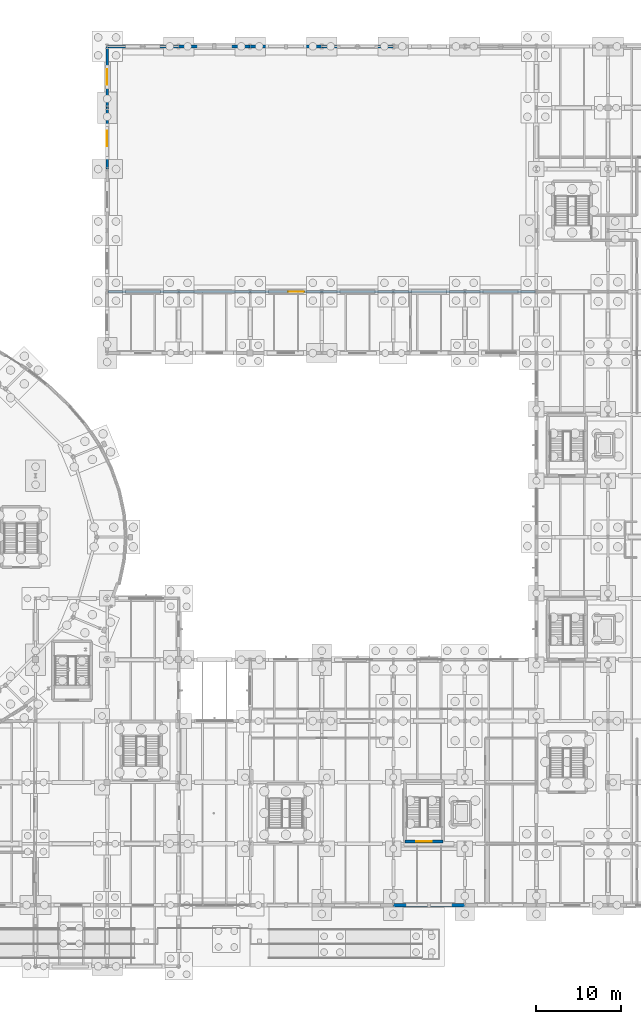
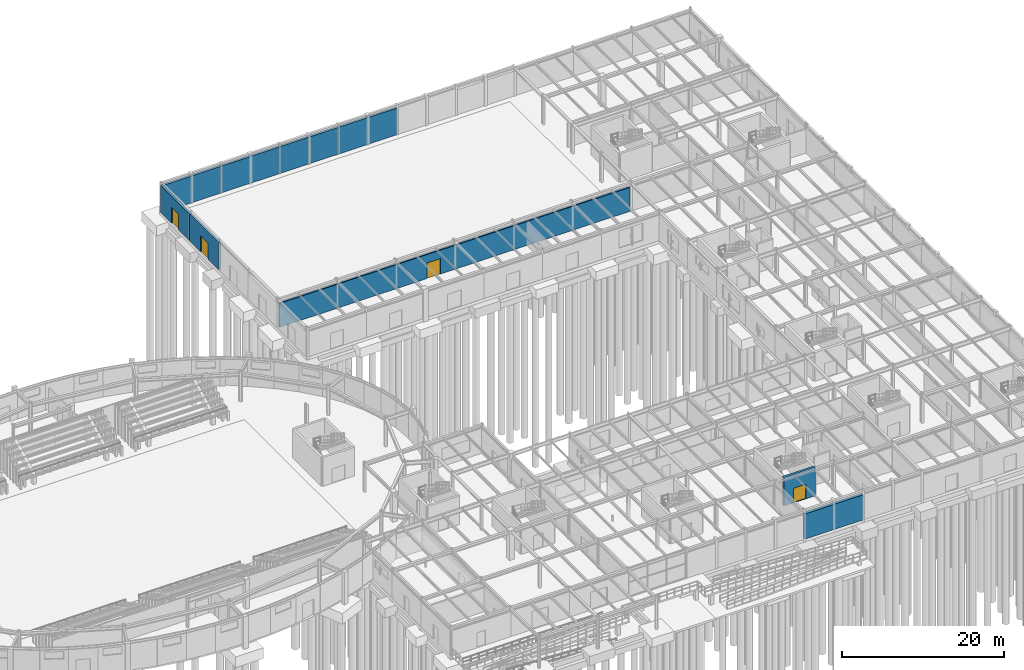
# One storey, part 62 of 93: 9 walls, 4 doors, 4 openings.
"""IFC4 building model written with IfcOpenShell, lengths in metres."""

import ifcopenshell
import ifcopenshell.guid

model = None  # the IFC model being written
_history = None  # IfcOwnerHistory: only IFC2X3 demands one
_inside = {}  # id of a spatial element -> (the spatial element, [elements in it])
_under = {}  # id of a project, library or spatial element -> (it, [spatial elements below it])
_declared = {}  # id of a project -> (the project, [libraries it declares])
_typed = {}  # id of a type object -> (the type object, [elements of that type])
_made_of = {}  # id of a material, layer set ... -> (it, [elements and type objects made of it])


def new_model(schema):
    """Start an empty IFC model of exactly this schema.

    Asked for "IFC4X3", IfcOpenShell would pick the latest addendum, in which some entities
    have other attributes; the version numbers below select the first issue.
    IFC2X3 requires an IfcOwnerHistory on every rooted entity: one is made here for all.
    """
    global model, _history
    if schema == "IFC4X3":
        model = ifcopenshell.file(schema_version=(4, 3, 0, 0))
    else:
        model = ifcopenshell.file(schema=schema)
    _inside.clear()
    _under.clear()
    _declared.clear()
    _typed.clear()
    _made_of.clear()
    _history = None
    if model.schema == "IFC2X3":
        org = make("IfcOrganization", Name="unknown")
        user = make(
            "IfcPersonAndOrganization",
            ThePerson=make("IfcPerson", FamilyName="unknown"),
            TheOrganization=org,
        )
        app = make(
            "IfcApplication",
            ApplicationDeveloper=org,
            Version="unknown",
            ApplicationFullName="unknown",
            ApplicationIdentifier="unknown",
        )
        _history = make(
            "IfcOwnerHistory",
            OwningUser=user,
            OwningApplication=app,
            ChangeAction="ADDED",
            CreationDate=0,
        )
    return model


def make(cls, **values):
    """One entity of the class cls with the attributes given. An attribute that is None is left unset."""
    return model.create_entity(
        cls, **{name: value for name, value in values.items() if value is not None}
    )


def rooted(cls, **values):
    """An entity with a GlobalId (a new one), such as an element, a storey or a relation."""
    return make(cls, GlobalId=ifcopenshell.guid.new(), OwnerHistory=_history, **values)


def si_unit(unit_type, name, prefix=None):
    """IfcSIUnit, for example si_unit("LENGTHUNIT", "METRE", prefix="MILLI")."""
    return make("IfcSIUnit", UnitType=unit_type, Prefix=prefix, Name=name)


def derived_unit(unit_type, elements):
    """IfcDerivedUnit: a product of units, each with its exponent."""
    return make(
        "IfcDerivedUnit",
        Elements=[
            make("IfcDerivedUnitElement", Unit=unit, Exponent=power)
            for unit, power in elements
        ],
        UnitType=unit_type,
    )


def assignment(units):
    """IfcUnitAssignment: the units of a project."""
    return None if units is None else make("IfcUnitAssignment", Units=units)


def point(xyz):
    """IfcCartesianPoint."""
    return None if xyz is None else make("IfcCartesianPoint", Coordinates=xyz)


def direction(xyz):
    """IfcDirection."""
    return None if xyz is None else make("IfcDirection", DirectionRatios=xyz)


def frame(location, z_axis=None, x_axis=None):
    """IfcAxis2Placement3D, a coordinate frame: its origin and axes. An axis left out is left unset."""
    return make(
        "IfcAxis2Placement3D",
        Location=point(location),
        Axis=direction(z_axis),
        RefDirection=direction(x_axis),
    )


def frame_2d(location, x_axis=None):
    """IfcAxis2Placement2D, a coordinate frame in the plane: its origin and x axis."""
    return make(
        "IfcAxis2Placement2D", Location=point(location), RefDirection=direction(x_axis)
    )


def origin():
    """The frame at (0, 0, 0) with its axes left unset."""
    return frame((0.0, 0.0, 0.0))


def place(relative_to, where):
    """IfcLocalPlacement: puts the frame where relative to a parent placement (None: the world)."""
    return make(
        "IfcLocalPlacement", PlacementRelTo=relative_to, RelativePlacement=where
    )


def context(
    kind, dimensions, precision=None, world=None, true_north=None, identifier=None
):
    """IfcGeometricRepresentationContext, for example the 3D "Model" context."""
    return make(
        "IfcGeometricRepresentationContext",
        ContextIdentifier=identifier,
        ContextType=kind,
        CoordinateSpaceDimension=dimensions,
        Precision=precision,
        WorldCoordinateSystem=world,
        TrueNorth=true_north,
    )


def subcontext(parent, identifier, kind, view, scale=None):
    """IfcGeometricRepresentationSubContext, for example "Body" below "Model"."""
    return make(
        "IfcGeometricRepresentationSubContext",
        ContextIdentifier=identifier,
        ContextType=kind,
        ParentContext=parent,
        TargetScale=scale,
        TargetView=view,
    )


def project(units=None, contexts=None):
    """IfcProject with its units and contexts."""
    return rooted(
        "IfcProject",
        Name="project",
        RepresentationContexts=contexts,
        UnitsInContext=assignment(units),
    )


def spatial(cls, under=None, at=None, **own):
    """A site, building, storey or space (cls), placed at a placement, below another one or the project."""
    s = rooted(cls, ObjectPlacement=at, **own)
    if under is not None:
        _under.setdefault(under.id(), (under, []))[1].append(s)
    return s


def profile(cls, at=None, kind="AREA", **sizes):
    """A parametric profile (cls). Its sizes go by their IFC names, for example OverallWidth=200.0."""
    return make(cls, ProfileType=kind, Position=at, **sizes)


def rectangle(**sizes):
    """IfcRectangleProfileDef."""
    return profile("IfcRectangleProfileDef", **sizes)


def extrude(swept, where, along, depth):
    """IfcExtrudedAreaSolid: the profile swept, set in the frame where, extruded along a direction by depth."""
    return make(
        "IfcExtrudedAreaSolid",
        SweptArea=swept,
        Position=where,
        ExtrudedDirection=direction(along),
        Depth=depth,
    )


def shape(context_of_items, identifier, shape_type, items):
    """IfcShapeRepresentation: the items that make up one representation, for example the "Body"."""
    return make(
        "IfcShapeRepresentation",
        ContextOfItems=context_of_items,
        RepresentationIdentifier=identifier,
        RepresentationType=shape_type,
        Items=items,
    )


def material(Name=None, Category=None):
    """IfcMaterial."""
    return make("IfcMaterial", Name=Name, Category=Category)


def layer(
    of_material, thickness, ventilated=None, Name=None, Category=None, Priority=None
):
    """IfcMaterialLayer: one layer of a wall or slab, of a material (None: an air gap)."""
    return make(
        "IfcMaterialLayer",
        Material=of_material,
        LayerThickness=thickness,
        IsVentilated=ventilated,
        Name=Name,
        Category=Category,
        Priority=Priority,
    )


def layer_set(layers, Name=None):
    """IfcMaterialLayerSet."""
    return make("IfcMaterialLayerSet", MaterialLayers=layers, LayerSetName=Name)


def made_of(thing, what):
    """Note that an element or type object is made of a material, layer set ...; save() writes the relation."""
    if what is not None:
        _made_of.setdefault(what.id(), (what, []))[1].append(thing)
    return thing


def type_object(cls, material=None, **own):
    """A type object (cls), such as IfcWallType, which elements share."""
    return made_of(rooted(cls, **own), material)


def element(
    cls,
    number,
    at=None,
    inside=None,
    cuts=None,
    type_object=None,
    material=None,
    context=None,
    identifier="Body",
    shape_type=None,
    held_by="IfcProductDefinitionShape",
    body=None,
    shapes=None,
    **own,
):
    """One element of the class cls, such as IfcWall. Its Tag is "e" and its number.

    at: its placement. inside: the storey or other place that contains it. cuts: it is an
    opening in that element (IfcRelVoidsElement). A single representation is given by context,
    identifier, shape_type and body (its items); several are given by shapes. held_by: the class
    of the entity that holds the representations. save() writes the other relations.
    """
    e = rooted(cls, Tag="e%d" % number, ObjectPlacement=at, **own)
    if body is not None:
        shapes = [shape(context, identifier, shape_type, body)]
    if shapes is not None:
        e.Representation = make(held_by, Representations=shapes)
    if inside is not None:
        _inside.setdefault(inside.id(), (inside, []))[1].append(e)
    if cuts is not None:
        rooted(
            "IfcRelVoidsElement", RelatingBuildingElement=cuts, RelatedOpeningElement=e
        )
    if type_object is not None:
        _typed.setdefault(type_object.id(), (type_object, []))[1].append(e)
    return made_of(e, material)


def fill(opening, filler):
    """IfcRelFillsElement: the door or window that sits in an opening."""
    return rooted(
        "IfcRelFillsElement",
        RelatingOpeningElement=opening,
        RelatedBuildingElement=filler,
    )


def aggregate(whole, parts):
    """IfcRelAggregates: a whole, such as a stair, and the parts it consists of."""
    return rooted("IfcRelAggregates", RelatingObject=whole, RelatedObjects=parts)


def save(model, path):
    """Write the relations noted so far, then the file.

    IfcRelAggregates (storeys below a building ...), IfcRelContainedInSpatialStructure (elements
    in a storey), IfcRelDefinesByType, IfcRelAssociatesMaterial and IfcRelDeclares: one each for
    every whole, place, type object, material and project.
    """
    for whole, parts in _under.values():
        aggregate(whole, parts)
    for where, things in _inside.values():
        rooted(
            "IfcRelContainedInSpatialStructure",
            RelatedElements=things,
            RelatingStructure=where,
        )
    for kind, things in _typed.values():
        rooted("IfcRelDefinesByType", RelatedObjects=things, RelatingType=kind)
    for what, things in _made_of.values():
        rooted("IfcRelAssociatesMaterial", RelatedObjects=things, RelatingMaterial=what)
    for by, libraries in _declared.values():
        rooted("IfcRelDeclares", RelatingContext=by, RelatedDefinitions=libraries)
    model.write(path)


model = new_model("IFC4")

# Units and contexts
model_context = context("Model", 3, precision=1e-05, world=origin(), true_north=direction((0.0, 1.0)))
body_context = subcontext(model_context, "Body", "Model", "MODEL_VIEW")
ifc_project = project(units=[si_unit("LENGTHUNIT", "METRE"), si_unit("AREAUNIT", "SQUARE_METRE"), si_unit("VOLUMEUNIT", "CUBIC_METRE"), si_unit("PLANEANGLEUNIT", "RADIAN"), si_unit("MASSUNIT", "GRAM", prefix="KILO"), derived_unit("THERMALTRANSMITTANCEUNIT", [(si_unit("MASSUNIT", "GRAM", prefix="KILO"), 1), (si_unit("TIMEUNIT", "SECOND"), -3), (si_unit("THERMODYNAMICTEMPERATUREUNIT", "KELVIN"), -1)])], contexts=[model_context])

# Site, building, storey
site_placement = place(None, origin())
site = spatial("IfcSite", under=ifc_project, at=site_placement, CompositionType="ELEMENT")
building_placement = place(site_placement, origin())
building = spatial("IfcBuilding", under=site, at=building_placement, Name="Kharveza Railside Sports Centre", CompositionType="ELEMENT")
storey_placement = place(building_placement, origin())
storey = spatial("IfcBuildingStorey", under=building, at=storey_placement, Name="L00", CompositionType="ELEMENT", Elevation=0.0)

# Walls
ifc_material_1 = material(Name="Acoustic mineral-wool metal cladding panel")
ifc_layer_1 = layer(ifc_material_1, 0.340087890625, Name="Acoustic mineral-wool metal cladding panel")
ifc_layer_set_1 = layer_set([ifc_layer_1], Name="Acoustic mineral-wool metal cladding panel")
wall_type_1 = type_object("IfcWallType", Name="WL-AC340", PredefinedType="STANDARD", material=ifc_layer_set_1)
wall_1_placement = place(storey_placement, frame((126.0, 108.0, 0.0), z_axis=(0.0, 0.0, 1.0), x_axis=(-1.0, 0.0, 0.0)))
element("IfcWall", 1, at=wall_1_placement, inside=storey, type_object=wall_type_1, Name="WL-EXT-L00-034", PredefinedType="STANDARD", context=body_context, shape_type="SweptSolid", body=[
    extrude(rectangle(XDim=8.39990234375, YDim=0.340087890625, at=frame_2d((4.199951171875, 0.0))), origin(), (0.0, 0.0, 1.0), 4.044921875),
])
wall_2_placement = place(storey_placement, frame((117.60009765625, 108.0, 0.0), z_axis=(0.0, 0.0, 1.0), x_axis=(-1.0, 0.0, 0.0)))
element("IfcWall", 2, at=wall_2_placement, inside=storey, type_object=wall_type_1, Name="WL-EXT-L00-035", PredefinedType="STANDARD", context=body_context, shape_type="SweptSolid", body=[
    extrude(rectangle(XDim=8.400146484375, YDim=0.340087890625, at=frame_2d((4.2001953125, 0.0))), origin(), (0.0, 0.0, 1.0), 4.044921875),
])
wall_3_placement = place(storey_placement, frame((109.199951171875, 108.0, 0.0), z_axis=(0.0, 0.0, 1.0), x_axis=(-1.0, 0.0, 0.0)))
element("IfcWall", 3, at=wall_3_placement, inside=storey, type_object=wall_type_1, Name="WL-EXT-L00-036", PredefinedType="STANDARD", context=body_context, shape_type="SweptSolid", body=[
    extrude(rectangle(XDim=8.39990234375, YDim=0.340087890625, at=frame_2d((4.199951171875, 0.0))), origin(), (0.0, 0.0, 1.0), 4.044921875),
])
wall_4_placement = place(storey_placement, frame((100.800048828125, 108.0, 0.0), z_axis=(0.0, 0.0, 1.0), x_axis=(-1.0, 0.0, 0.0)))
element("IfcWall", 4, at=wall_4_placement, inside=storey, type_object=wall_type_1, Name="WL-EXT-L00-037", PredefinedType="STANDARD", context=body_context, shape_type="SweptSolid", body=[
    extrude(rectangle(XDim=8.400146484375, YDim=0.340087890625, at=frame_2d((4.2001953125, 0.0))), origin(), (0.0, 0.0, 1.0), 4.044921875),
])
ifc_material_2 = material(Name="Precast concrete C40/50", Category="concrete")
ifc_layer_2 = layer(ifc_material_2, 0.419921875, Name="Precast concrete C40/50")
ifc_layer_set_2 = layer_set([ifc_layer_2], Name="Precast concrete C40/50")
wall_type_2 = type_object("IfcWallType", Name="WL-BM420", PredefinedType="SOLIDWALL", material=ifc_layer_set_2)
wall_5_placement = place(storey_placement, frame((126.0, 7.199951171875, 0.0), z_axis=(0.0, 0.0, 1.0), x_axis=(1.0, 0.0, 0.0)))
element("IfcWall", 5, at=wall_5_placement, inside=storey, type_object=wall_type_2, Name="WL-EXT-L00-010", PredefinedType="SOLIDWALL", context=body_context, shape_type="SweptSolid", body=[
    extrude(rectangle(XDim=8.39990234375, YDim=0.419921875, at=frame_2d((4.199951171875, 0.0))), origin(), (0.0, 0.0, 1.0), 3.804931640625),
])

# Wall, opening, door
ifc_material_3 = material(Name="Concrete C35/45", Category="concrete")
ifc_layer_3 = layer(ifc_material_3, 0.35009765625, Name="Concrete C35/45")
ifc_layer_set_3 = layer_set([ifc_layer_3], Name="Concrete C35/45")
wall_type_3 = type_object("IfcWallType", Name="WL-CR350", PredefinedType="SHEAR", material=ifc_layer_set_3)
wall_6_placement = place(storey_placement, frame((127.35009765625, 14.64990234375, 0.0), z_axis=(0.0, 0.0, 1.0), x_axis=(1.0, 0.0, 0.0)))
wall_6 = element("IfcWall", 6, at=wall_6_placement, inside=storey, type_object=wall_type_3, Name="WL-CORE-ST3-L00-S", PredefinedType="SHEAR", context=body_context, shape_type="SweptSolid", body=[
    extrude(rectangle(XDim=4.5, YDim=0.35009765625, at=frame_2d((2.25, 0.0))), origin(), (0.0, 0.0, 1.0), 4.320068359375),
])
opening_1_placement = place(wall_6_placement, frame((1.35009765625, 0.0, 0.0)))
opening_1 = element("IfcOpeningElement", 7, at=opening_1_placement, cuts=wall_6, Name="Opening D08", PredefinedType="OPENING", context=body_context, shape_type="SweptSolid", body=[
    extrude(rectangle(XDim=1.800048828125, YDim=2.199951171875, at=frame_2d((0.89990234375, 1.10009765625))), frame((0.0, 0.199951171875, 0.0), z_axis=(0.0, -1.0, 0.0), x_axis=(1.0, 0.0, 0.0)), (0.0, 0.0, 1.0), 0.39990234375),
])
ifc_material_4 = material(Name="Fire-rated hardwood door leaf", Category="wood")
door_type_1 = type_object("IfcDoorType", Name="DR-ST01", OperationType="NOTDEFINED", PredefinedType="DOOR", material=ifc_material_4)
door_1_placement = place(opening_1_placement, frame((1.800048828125, 0.0, 0.0), z_axis=(0.0, 0.0, 1.0), x_axis=(-1.0, 0.0, 0.0)))
door_1 = element("IfcDoor", 8, at=door_1_placement, inside=storey, type_object=door_type_1, Name="DR-ST-ST3-L00", OperationType="DOUBLE_DOOR_SINGLE_SWING", OverallHeight=2.199951171875, OverallWidth=1.800048828125, PredefinedType="DOOR", context=body_context, shape_type="SweptSolid", body=[
    extrude(rectangle(XDim=1.800048828125, YDim=2.199951171875, at=frame_2d((0.89990234375, 1.10009765625))), frame((0.0, 0.02490234375, 0.0), z_axis=(0.0, -1.0, 0.0), x_axis=(1.0, 0.0, 0.0)), (0.0, 0.0, 1.0), 0.050048828125),
])
fill(opening_1, door_1)

ifc_layer_4 = layer(ifc_material_1, 0.2900390625, Name="Acoustic mineral-wool metal cladding panel")
ifc_layer_set_4 = layer_set([ifc_layer_4], Name="Acoustic mineral-wool metal cladding panel")
wall_type_4 = type_object("IfcWallType", Name="WL-EX290", PredefinedType="STANDARD", material=ifc_layer_set_4)
wall_7_placement = place(storey_placement, frame((92.39990234375, 108.0, 0.0), z_axis=(0.0, 0.0, 1.0), x_axis=(0.0, -1.0, 0.0)))
wall_7 = element("IfcWall", 9, at=wall_7_placement, inside=storey, type_object=wall_type_4, Name="WL-EXT-L00-038", PredefinedType="STANDARD", context=body_context, shape_type="SweptSolid", body=[
    extrude(rectangle(XDim=7.199951171875, YDim=0.2900390625, at=frame_2d((3.60009765625, 0.0))), origin(), (0.0, 0.0, 1.0), 4.044921875),
])
opening_2_placement = place(wall_7_placement, frame((2.699951171875, 0.0, 0.0)))
opening_2 = element("IfcOpeningElement", 10, at=opening_2_placement, cuts=wall_7, Name="Opening D03", PredefinedType="OPENING", context=body_context, shape_type="SweptSolid", body=[
    extrude(rectangle(XDim=1.800048828125, YDim=2.39990234375, at=frame_2d((0.89990234375, 1.199951171875))), frame((0.0, 0.169921875, 0.0), z_axis=(0.0, -1.0, 0.0), x_axis=(1.0, 0.0, 0.0)), (0.0, 0.0, 1.0), 0.33984375),
])
ifc_material_5 = material(Name="Anodised aluminium 6063-T6", Category="aluminium")
door_type_2 = type_object("IfcDoorType", Name="DR-EX03", OperationType="NOTDEFINED", PredefinedType="DOOR", material=ifc_material_5)
door_2_placement = place(opening_2_placement, frame((1.800048828125, 0.0, 0.0), z_axis=(0.0, 0.0, 1.0), x_axis=(-1.0, 0.0, 0.0)))
door_2 = element("IfcDoor", 11, at=door_2_placement, inside=storey, type_object=door_type_2, Name="DR-L00-EX-015", OperationType="DOUBLE_DOOR_SINGLE_SWING", OverallHeight=2.39990234375, OverallWidth=1.800048828125, PredefinedType="DOOR", context=body_context, shape_type="SweptSolid", body=[
    extrude(rectangle(XDim=1.800048828125, YDim=2.39990234375, at=frame_2d((0.89990234375, 1.199951171875))), frame((0.0, 0.02490234375, 0.0), z_axis=(0.0, -1.0, 0.0), x_axis=(1.0, 0.0, 0.0)), (0.0, 0.0, 1.0), 0.050048828125),
])
fill(opening_2, door_2)

wall_8_placement = place(storey_placement, frame((92.39990234375, 100.800048828125, 0.0), z_axis=(0.0, 0.0, 1.0), x_axis=(0.0, -1.0, 0.0)))
wall_8 = element("IfcWall", 12, at=wall_8_placement, inside=storey, type_object=wall_type_4, Name="WL-EXT-L00-039", PredefinedType="STANDARD", context=body_context, shape_type="SweptSolid", body=[
    extrude(rectangle(XDim=7.199951171875, YDim=0.2900390625, at=frame_2d((3.60009765625, 0.0))), origin(), (0.0, 0.0, 1.0), 4.175048828125),
])
opening_3_placement = place(wall_8_placement, frame((2.699951171875, 0.0, 0.0)))
opening_3 = element("IfcOpeningElement", 13, at=opening_3_placement, cuts=wall_8, Name="Opening D03", PredefinedType="OPENING", context=body_context, shape_type="SweptSolid", body=[
    extrude(rectangle(XDim=1.800048828125, YDim=2.39990234375, at=frame_2d((0.89990234375, 1.199951171875))), frame((0.0, 0.169921875, 0.0), z_axis=(0.0, -1.0, 0.0), x_axis=(1.0, 0.0, 0.0)), (0.0, 0.0, 1.0), 0.33984375),
])
door_3_placement = place(opening_3_placement, frame((1.800048828125, 0.0, 0.0), z_axis=(0.0, 0.0, 1.0), x_axis=(-1.0, 0.0, 0.0)))
door_3 = element("IfcDoor", 14, at=door_3_placement, inside=storey, type_object=door_type_2, Name="DR-L00-EX-016", OperationType="DOUBLE_DOOR_SINGLE_SWING", OverallHeight=2.39990234375, OverallWidth=1.800048828125, PredefinedType="DOOR", context=body_context, shape_type="SweptSolid", body=[
    extrude(rectangle(XDim=1.800048828125, YDim=2.39990234375, at=frame_2d((0.89990234375, 1.199951171875))), frame((0.0, 0.02490234375, 0.0), z_axis=(0.0, -1.0, 0.0), x_axis=(1.0, 0.0, 0.0)), (0.0, 0.0, 1.0), 0.050048828125),
])
fill(opening_3, door_3)

ifc_material_6 = material(Name="Gypsum board acoustic stud partition")
ifc_layer_5 = layer(ifc_material_6, 0.199951171875, Name="Gypsum board acoustic stud partition")
ifc_layer_set_5 = layer_set([ifc_layer_5], Name="Gypsum board acoustic stud partition")
wall_type_5 = type_object("IfcWallType", Name="WL-PT200", PredefinedType="PARTITIONING", material=ifc_layer_set_5)
wall_9_placement = place(storey_placement, frame((92.550048828125, 79.199951171875, 0.0), z_axis=(0.0, 0.0, 1.0), x_axis=(1.0, 0.0, 0.0)))
wall_9 = element("IfcWall", 15, at=wall_9_placement, inside=storey, type_object=wall_type_5, Name="WL-INT-L00-009", PredefinedType="PARTITIONING", context=body_context, shape_type="SweptSolid", body=[
    extrude(rectangle(XDim=50.099853515625, YDim=0.199951171875, at=frame_2d((25.0498046875, 0.0))), origin(), (0.0, 0.0, 1.0), 3.6201171875),
])
opening_4_placement = place(wall_9_placement, frame((21.10009765625, 0.0, 0.0)))
opening_4 = element("IfcOpeningElement", 16, at=opening_4_placement, cuts=wall_9, Name="Opening D13", PredefinedType="OPENING", context=body_context, shape_type="SweptSolid", body=[
    extrude(rectangle(XDim=1.89990234375, YDim=2.35009765625, at=frame_2d((0.949951171875, 1.175048828125))), frame((0.0, 0.125, 0.0), z_axis=(0.0, -1.0, 0.0), x_axis=(1.0, 0.0, 0.0)), (0.0, 0.0, 1.0), 0.249755859375),
])
door_type_3 = type_object("IfcDoorType", Name="DR-IN01", OperationType="NOTDEFINED", PredefinedType="DOOR", material=ifc_material_4)
door_4_placement = place(opening_4_placement, origin())
door_4 = element("IfcDoor", 17, at=door_4_placement, inside=storey, type_object=door_type_3, Name="DR-INT-L00-008", OperationType="DOUBLE_DOOR_SINGLE_SWING", OverallHeight=2.35009765625, OverallWidth=1.89990234375, PredefinedType="DOOR", context=body_context, shape_type="SweptSolid", body=[
    extrude(rectangle(XDim=1.89990234375, YDim=2.35009765625, at=frame_2d((0.949951171875, 1.175048828125))), frame((0.0, 0.02490234375, 0.0), z_axis=(0.0, -1.0, 0.0), x_axis=(1.0, 0.0, 0.0)), (0.0, 0.0, 1.0), 0.050048828125),
])
fill(opening_4, door_4)

save(model, "model.ifc")
